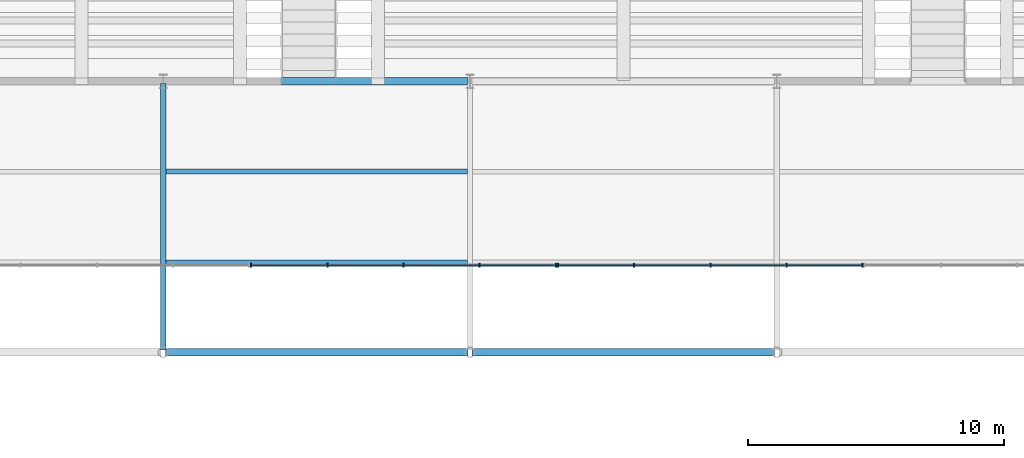
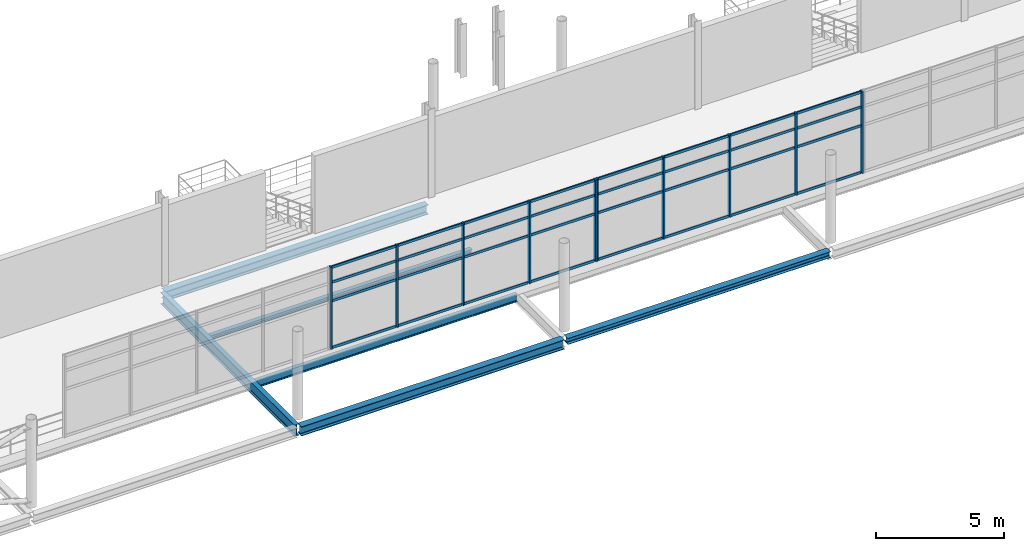
# One storey, part 27 of 89: 42 members, 6 beams, 2 elements without a shape of their own.
"""IFC4 building model written with IfcOpenShell, lengths in metres."""

from ifc_helpers import new_model, si_unit, direction, frame, origin, origin_2d, place, context, subcontext, project, spatial, rectangle, i_section, extrude, material, material_profile, profile_set, type_object, element, aggregate, save


model = new_model("IFC4")

# Units and contexts
model_context = context("Model", 3, precision=1e-05, world=origin(), true_north=direction((0.0, 1.0)))
body_context = subcontext(model_context, "Body", "Model", "MODEL_VIEW")
ifc_project = project(units=[si_unit("LENGTHUNIT", "METRE"), si_unit("AREAUNIT", "SQUARE_METRE"), si_unit("VOLUMEUNIT", "CUBIC_METRE"), si_unit("PLANEANGLEUNIT", "RADIAN"), si_unit("MASSUNIT", "GRAM", prefix="KILO"), si_unit("THERMODYNAMICTEMPERATUREUNIT", "KELVIN"), si_unit("POWERUNIT", "WATT")], contexts=[model_context])

# Site, building, storey
site_placement = place(None, origin())
site = spatial("IfcSite", under=ifc_project, at=site_placement, CompositionType="ELEMENT")
building_placement = place(site_placement, origin())
building = spatial("IfcBuilding", under=site, at=building_placement, Name="Solmara Park Aquatics Centre", CompositionType="ELEMENT")
storey_placement = place(building_placement, frame((0.0, 0.0, 5.39990234375)))
storey = spatial("IfcBuildingStorey", under=building, at=storey_placement, Name="L01", CompositionType="ELEMENT", Elevation=5.39990234375)

# Curtain wall, members
ifc_material_1 = material(Name="Anodised Aluminium Curtain Wall Framing", Category="aluminium")
curtain_wall_type = type_object("IfcCurtainWallType", Name="ARC-CW-SYS05", PredefinedType="USERDEFINED", material=ifc_material_1)
curtain_wall_1_placement = place(storey_placement, origin())
curtain_wall_1 = element("IfcCurtainWall", 1, at=curtain_wall_1_placement, inside=storey, type_object=curtain_wall_type, Name="Curtain Wall CW-004", ObjectType="CURTAIN WALL", PredefinedType="USERDEFINED")
ifc_material_2 = material(Name="Anodised Aluminium Alloy 6063-T6", Category="aluminium")
ifc_material_profile_1 = material_profile(ifc_material_2, rectangle(XDim=0.06005859375, YDim=0.159912109375, at=origin_2d()), Name="ALU MULLION 60x160")
ifc_profile_set_1 = profile_set([ifc_material_profile_1], Name="Anodised Aluminium Alloy 6063-T6")
member_type_1 = type_object("IfcMemberType", Name="ARC-CWM-60x160", PredefinedType="MULLION", material=ifc_profile_set_1)
member_1_placement = place(storey_placement, frame((40.0400390625, 16.0, 0.0), z_axis=(0.0, 0.0, 1.0), x_axis=(1.0, 0.0, 0.0)))
member_1 = element("IfcMember", 2, at=member_1_placement, type_object=member_type_1, Name="CW-004 mullion 1", PredefinedType="MULLION", context=body_context, shape_type="SweptSolid", body=[
    extrude(rectangle(XDim=0.06005859375, YDim=0.159912109375, at=origin_2d()), origin(), (0.0, 0.0, 1.0), 3.900146484375),
])
member_2_placement = place(storey_placement, frame((43.02001953125, 16.0, 0.0), z_axis=(0.0, 0.0, 1.0), x_axis=(1.0, 0.0, 0.0)))
member_2 = element("IfcMember", 3, at=member_2_placement, type_object=member_type_1, Name="CW-004 mullion 2", PredefinedType="MULLION", context=body_context, shape_type="SweptSolid", body=[
    extrude(rectangle(XDim=0.06005859375, YDim=0.159912109375, at=origin_2d()), origin(), (0.0, 0.0, 1.0), 3.900146484375),
])
member_3_placement = place(storey_placement, frame((46.0, 16.0, 0.0), z_axis=(0.0, 0.0, 1.0), x_axis=(1.0, 0.0, 0.0)))
member_3 = element("IfcMember", 4, at=member_3_placement, type_object=member_type_1, Name="CW-004 mullion 3", PredefinedType="MULLION", context=body_context, shape_type="SweptSolid", body=[
    extrude(rectangle(XDim=0.06005859375, YDim=0.159912109375, at=origin_2d()), origin(), (0.0, 0.0, 1.0), 3.900146484375),
])
member_4_placement = place(storey_placement, frame((48.97998046875, 16.0, 0.0), z_axis=(0.0, 0.0, 1.0), x_axis=(1.0, 0.0, 0.0)))
member_4 = element("IfcMember", 5, at=member_4_placement, type_object=member_type_1, Name="CW-004 mullion 4", PredefinedType="MULLION", context=body_context, shape_type="SweptSolid", body=[
    extrude(rectangle(XDim=0.06005859375, YDim=0.159912109375, at=origin_2d()), origin(), (0.0, 0.0, 1.0), 3.900146484375),
])
member_5_placement = place(storey_placement, frame((51.9599609375, 16.0, 0.0), z_axis=(0.0, 0.0, 1.0), x_axis=(1.0, 0.0, 0.0)))
member_5 = element("IfcMember", 6, at=member_5_placement, type_object=member_type_1, Name="CW-004 mullion 5", PredefinedType="MULLION", context=body_context, shape_type="SweptSolid", body=[
    extrude(rectangle(XDim=0.06005859375, YDim=0.159912109375, at=origin_2d()), origin(), (0.0, 0.0, 1.0), 3.900146484375),
])

curtain_wall_2_placement = place(storey_placement, origin())
curtain_wall_2 = element("IfcCurtainWall", 7, at=curtain_wall_2_placement, inside=storey, type_object=curtain_wall_type, Name="Curtain Wall CW-006", ObjectType="CURTAIN WALL", PredefinedType="USERDEFINED")
member_6_placement = place(storey_placement, frame((52.0400390625, 16.0, 0.0), z_axis=(0.0, 0.0, 1.0), x_axis=(1.0, 0.0, 0.0)))
member_6 = element("IfcMember", 8, at=member_6_placement, type_object=member_type_1, Name="CW-006 mullion 1", PredefinedType="MULLION", context=body_context, shape_type="SweptSolid", body=[
    extrude(rectangle(XDim=0.06005859375, YDim=0.159912109375, at=origin_2d()), origin(), (0.0, 0.0, 1.0), 3.900146484375),
])
member_7_placement = place(storey_placement, frame((55.02001953125, 16.0, 0.0), z_axis=(0.0, 0.0, 1.0), x_axis=(1.0, 0.0, 0.0)))
member_7 = element("IfcMember", 9, at=member_7_placement, type_object=member_type_1, Name="CW-006 mullion 2", PredefinedType="MULLION", context=body_context, shape_type="SweptSolid", body=[
    extrude(rectangle(XDim=0.06005859375, YDim=0.159912109375, at=origin_2d()), origin(), (0.0, 0.0, 1.0), 3.900146484375),
])
member_8_placement = place(storey_placement, frame((58.0, 16.0, 0.0), z_axis=(0.0, 0.0, 1.0), x_axis=(1.0, 0.0, 0.0)))
member_8 = element("IfcMember", 10, at=member_8_placement, type_object=member_type_1, Name="CW-006 mullion 3", PredefinedType="MULLION", context=body_context, shape_type="SweptSolid", body=[
    extrude(rectangle(XDim=0.06005859375, YDim=0.159912109375, at=origin_2d()), origin(), (0.0, 0.0, 1.0), 3.900146484375),
])
member_9_placement = place(storey_placement, frame((60.97998046875, 16.0, 0.0), z_axis=(0.0, 0.0, 1.0), x_axis=(1.0, 0.0, 0.0)))
member_9 = element("IfcMember", 11, at=member_9_placement, type_object=member_type_1, Name="CW-006 mullion 4", PredefinedType="MULLION", context=body_context, shape_type="SweptSolid", body=[
    extrude(rectangle(XDim=0.06005859375, YDim=0.159912109375, at=origin_2d()), origin(), (0.0, 0.0, 1.0), 3.900146484375),
])
member_10_placement = place(storey_placement, frame((63.9599609375, 16.0, 0.0), z_axis=(0.0, 0.0, 1.0), x_axis=(1.0, 0.0, 0.0)))
member_10 = element("IfcMember", 12, at=member_10_placement, type_object=member_type_1, Name="CW-006 mullion 5", PredefinedType="MULLION", context=body_context, shape_type="SweptSolid", body=[
    extrude(rectangle(XDim=0.06005859375, YDim=0.159912109375, at=origin_2d()), origin(), (0.0, 0.0, 1.0), 3.900146484375),
])

# Member
ifc_material_profile_2 = material_profile(ifc_material_2, rectangle(XDim=0.06005859375, YDim=0.1201171875, at=origin_2d()), Name="ALU TRANSOM 60x120")
ifc_profile_set_2 = profile_set([ifc_material_profile_2], Name="Anodised Aluminium Alloy 6063-T6")
member_type_2 = type_object("IfcMemberType", Name="ARC-CWT-60x120", PredefinedType="USERDEFINED", material=ifc_profile_set_2)
member_11_placement = place(storey_placement, frame((40.06005859375, 16.0, 0.0400390625), z_axis=(1.0, 0.0, 0.0), x_axis=(0.0, 1.0, 0.0)))
member_11 = element("IfcMember", 13, at=member_11_placement, type_object=member_type_2, Name="CW-004 transom 1", ObjectType="TRANSOM", PredefinedType="USERDEFINED", context=body_context, shape_type="SweptSolid", body=[
    extrude(rectangle(XDim=0.06005859375, YDim=0.1201171875, at=origin_2d()), origin(), (0.0, 0.0, 1.0), 2.89990234375),
])

member_12_placement = place(storey_placement, frame((40.06005859375, 16.0, 2.26220703125), z_axis=(1.0, 0.0, 0.0), x_axis=(0.0, 1.0, 0.0)))
member_12 = element("IfcMember", 14, at=member_12_placement, type_object=member_type_2, Name="CW-004 transom 2", ObjectType="TRANSOM", PredefinedType="USERDEFINED", context=body_context, shape_type="SweptSolid", body=[
    extrude(rectangle(XDim=0.06005859375, YDim=0.1201171875, at=origin_2d()), origin(), (0.0, 0.0, 1.0), 2.89990234375),
])

member_13_placement = place(storey_placement, frame((40.06005859375, 16.0, 3.150146484375), z_axis=(1.0, 0.0, 0.0), x_axis=(0.0, 1.0, 0.0)))
member_13 = element("IfcMember", 15, at=member_13_placement, type_object=member_type_2, Name="CW-004 transom 3", ObjectType="TRANSOM", PredefinedType="USERDEFINED", context=body_context, shape_type="SweptSolid", body=[
    extrude(rectangle(XDim=0.06005859375, YDim=0.1201171875, at=origin_2d()), origin(), (0.0, 0.0, 1.0), 2.89990234375),
])

member_14_placement = place(storey_placement, frame((40.06005859375, 16.0, 3.860107421875), z_axis=(1.0, 0.0, 0.0), x_axis=(0.0, 1.0, 0.0)))
member_14 = element("IfcMember", 16, at=member_14_placement, type_object=member_type_2, Name="CW-004 transom 4", ObjectType="TRANSOM", PredefinedType="USERDEFINED", context=body_context, shape_type="SweptSolid", body=[
    extrude(rectangle(XDim=0.06005859375, YDim=0.1201171875, at=origin_2d()), origin(), (0.0, 0.0, 1.0), 2.89990234375),
])

member_15_placement = place(storey_placement, frame((43.0400390625, 16.0, 0.0400390625), z_axis=(1.0, 0.0, 0.0), x_axis=(0.0, 1.0, 0.0)))
member_15 = element("IfcMember", 17, at=member_15_placement, type_object=member_type_2, Name="CW-004 transom 5", ObjectType="TRANSOM", PredefinedType="USERDEFINED", context=body_context, shape_type="SweptSolid", body=[
    extrude(rectangle(XDim=0.06005859375, YDim=0.1201171875, at=origin_2d()), origin(), (0.0, 0.0, 1.0), 2.89990234375),
])

member_16_placement = place(storey_placement, frame((43.0400390625, 16.0, 2.26220703125), z_axis=(1.0, 0.0, 0.0), x_axis=(0.0, 1.0, 0.0)))
member_16 = element("IfcMember", 18, at=member_16_placement, type_object=member_type_2, Name="CW-004 transom 6", ObjectType="TRANSOM", PredefinedType="USERDEFINED", context=body_context, shape_type="SweptSolid", body=[
    extrude(rectangle(XDim=0.06005859375, YDim=0.1201171875, at=origin_2d()), origin(), (0.0, 0.0, 1.0), 2.89990234375),
])

member_17_placement = place(storey_placement, frame((43.0400390625, 16.0, 3.150146484375), z_axis=(1.0, 0.0, 0.0), x_axis=(0.0, 1.0, 0.0)))
member_17 = element("IfcMember", 19, at=member_17_placement, type_object=member_type_2, Name="CW-004 transom 7", ObjectType="TRANSOM", PredefinedType="USERDEFINED", context=body_context, shape_type="SweptSolid", body=[
    extrude(rectangle(XDim=0.06005859375, YDim=0.1201171875, at=origin_2d()), origin(), (0.0, 0.0, 1.0), 2.89990234375),
])

member_18_placement = place(storey_placement, frame((43.0400390625, 16.0, 3.860107421875), z_axis=(1.0, 0.0, 0.0), x_axis=(0.0, 1.0, 0.0)))
member_18 = element("IfcMember", 20, at=member_18_placement, type_object=member_type_2, Name="CW-004 transom 8", ObjectType="TRANSOM", PredefinedType="USERDEFINED", context=body_context, shape_type="SweptSolid", body=[
    extrude(rectangle(XDim=0.06005859375, YDim=0.1201171875, at=origin_2d()), origin(), (0.0, 0.0, 1.0), 2.89990234375),
])

member_19_placement = place(storey_placement, frame((46.02001953125, 16.0, 0.0400390625), z_axis=(1.0, 0.0, 0.0), x_axis=(0.0, 1.0, 0.0)))
member_19 = element("IfcMember", 21, at=member_19_placement, type_object=member_type_2, Name="CW-004 transom 9", ObjectType="TRANSOM", PredefinedType="USERDEFINED", context=body_context, shape_type="SweptSolid", body=[
    extrude(rectangle(XDim=0.06005859375, YDim=0.1201171875, at=origin_2d()), origin(), (0.0, 0.0, 1.0), 2.89990234375),
])

member_20_placement = place(storey_placement, frame((46.02001953125, 16.0, 2.26220703125), z_axis=(1.0, 0.0, 0.0), x_axis=(0.0, 1.0, 0.0)))
member_20 = element("IfcMember", 22, at=member_20_placement, type_object=member_type_2, Name="CW-004 transom 10", ObjectType="TRANSOM", PredefinedType="USERDEFINED", context=body_context, shape_type="SweptSolid", body=[
    extrude(rectangle(XDim=0.06005859375, YDim=0.1201171875, at=origin_2d()), origin(), (0.0, 0.0, 1.0), 2.89990234375),
])

member_21_placement = place(storey_placement, frame((46.02001953125, 16.0, 3.150146484375), z_axis=(1.0, 0.0, 0.0), x_axis=(0.0, 1.0, 0.0)))
member_21 = element("IfcMember", 23, at=member_21_placement, type_object=member_type_2, Name="CW-004 transom 11", ObjectType="TRANSOM", PredefinedType="USERDEFINED", context=body_context, shape_type="SweptSolid", body=[
    extrude(rectangle(XDim=0.06005859375, YDim=0.1201171875, at=origin_2d()), origin(), (0.0, 0.0, 1.0), 2.89990234375),
])

member_22_placement = place(storey_placement, frame((46.02001953125, 16.0, 3.860107421875), z_axis=(1.0, 0.0, 0.0), x_axis=(0.0, 1.0, 0.0)))
member_22 = element("IfcMember", 24, at=member_22_placement, type_object=member_type_2, Name="CW-004 transom 12", ObjectType="TRANSOM", PredefinedType="USERDEFINED", context=body_context, shape_type="SweptSolid", body=[
    extrude(rectangle(XDim=0.06005859375, YDim=0.1201171875, at=origin_2d()), origin(), (0.0, 0.0, 1.0), 2.89990234375),
])

member_23_placement = place(storey_placement, frame((49.0, 16.0, 0.0400390625), z_axis=(1.0, 0.0, 0.0), x_axis=(0.0, 1.0, 0.0)))
member_23 = element("IfcMember", 25, at=member_23_placement, type_object=member_type_2, Name="CW-004 transom 13", ObjectType="TRANSOM", PredefinedType="USERDEFINED", context=body_context, shape_type="SweptSolid", body=[
    extrude(rectangle(XDim=0.06005859375, YDim=0.1201171875, at=origin_2d()), origin(), (0.0, 0.0, 1.0), 2.89990234375),
])

member_24_placement = place(storey_placement, frame((49.0, 16.0, 2.26220703125), z_axis=(1.0, 0.0, 0.0), x_axis=(0.0, 1.0, 0.0)))
member_24 = element("IfcMember", 26, at=member_24_placement, type_object=member_type_2, Name="CW-004 transom 14", ObjectType="TRANSOM", PredefinedType="USERDEFINED", context=body_context, shape_type="SweptSolid", body=[
    extrude(rectangle(XDim=0.06005859375, YDim=0.1201171875, at=origin_2d()), origin(), (0.0, 0.0, 1.0), 2.89990234375),
])

member_25_placement = place(storey_placement, frame((49.0, 16.0, 3.150146484375), z_axis=(1.0, 0.0, 0.0), x_axis=(0.0, 1.0, 0.0)))
member_25 = element("IfcMember", 27, at=member_25_placement, type_object=member_type_2, Name="CW-004 transom 15", ObjectType="TRANSOM", PredefinedType="USERDEFINED", context=body_context, shape_type="SweptSolid", body=[
    extrude(rectangle(XDim=0.06005859375, YDim=0.1201171875, at=origin_2d()), origin(), (0.0, 0.0, 1.0), 2.89990234375),
])

member_26_placement = place(storey_placement, frame((49.0, 16.0, 3.860107421875), z_axis=(1.0, 0.0, 0.0), x_axis=(0.0, 1.0, 0.0)))
member_26 = element("IfcMember", 28, at=member_26_placement, type_object=member_type_2, Name="CW-004 transom 16", ObjectType="TRANSOM", PredefinedType="USERDEFINED", context=body_context, shape_type="SweptSolid", body=[
    extrude(rectangle(XDim=0.06005859375, YDim=0.1201171875, at=origin_2d()), origin(), (0.0, 0.0, 1.0), 2.89990234375),
])

aggregate(curtain_wall_1, [member_1, member_2, member_3, member_4, member_5, member_11, member_12, member_13, member_14, member_15, member_16, member_17, member_18, member_19, member_20, member_21, member_22, member_23, member_24, member_25, member_26])

member_27_placement = place(storey_placement, frame((52.06005859375, 16.0, 0.0400390625), z_axis=(1.0, 0.0, 0.0), x_axis=(0.0, 1.0, 0.0)))
member_27 = element("IfcMember", 29, at=member_27_placement, type_object=member_type_2, Name="CW-006 transom 1", ObjectType="TRANSOM", PredefinedType="USERDEFINED", context=body_context, shape_type="SweptSolid", body=[
    extrude(rectangle(XDim=0.06005859375, YDim=0.1201171875, at=origin_2d()), origin(), (0.0, 0.0, 1.0), 2.89990234375),
])

member_28_placement = place(storey_placement, frame((52.06005859375, 16.0, 2.26220703125), z_axis=(1.0, 0.0, 0.0), x_axis=(0.0, 1.0, 0.0)))
member_28 = element("IfcMember", 30, at=member_28_placement, type_object=member_type_2, Name="CW-006 transom 2", ObjectType="TRANSOM", PredefinedType="USERDEFINED", context=body_context, shape_type="SweptSolid", body=[
    extrude(rectangle(XDim=0.06005859375, YDim=0.1201171875, at=origin_2d()), origin(), (0.0, 0.0, 1.0), 2.89990234375),
])

member_29_placement = place(storey_placement, frame((52.06005859375, 16.0, 3.150146484375), z_axis=(1.0, 0.0, 0.0), x_axis=(0.0, 1.0, 0.0)))
member_29 = element("IfcMember", 31, at=member_29_placement, type_object=member_type_2, Name="CW-006 transom 3", ObjectType="TRANSOM", PredefinedType="USERDEFINED", context=body_context, shape_type="SweptSolid", body=[
    extrude(rectangle(XDim=0.06005859375, YDim=0.1201171875, at=origin_2d()), origin(), (0.0, 0.0, 1.0), 2.89990234375),
])

member_30_placement = place(storey_placement, frame((52.06005859375, 16.0, 3.860107421875), z_axis=(1.0, 0.0, 0.0), x_axis=(0.0, 1.0, 0.0)))
member_30 = element("IfcMember", 32, at=member_30_placement, type_object=member_type_2, Name="CW-006 transom 4", ObjectType="TRANSOM", PredefinedType="USERDEFINED", context=body_context, shape_type="SweptSolid", body=[
    extrude(rectangle(XDim=0.06005859375, YDim=0.1201171875, at=origin_2d()), origin(), (0.0, 0.0, 1.0), 2.89990234375),
])

member_31_placement = place(storey_placement, frame((55.0400390625, 16.0, 0.0400390625), z_axis=(1.0, 0.0, 0.0), x_axis=(0.0, 1.0, 0.0)))
member_31 = element("IfcMember", 33, at=member_31_placement, type_object=member_type_2, Name="CW-006 transom 5", ObjectType="TRANSOM", PredefinedType="USERDEFINED", context=body_context, shape_type="SweptSolid", body=[
    extrude(rectangle(XDim=0.06005859375, YDim=0.1201171875, at=origin_2d()), origin(), (0.0, 0.0, 1.0), 2.89990234375),
])

member_32_placement = place(storey_placement, frame((55.0400390625, 16.0, 2.26220703125), z_axis=(1.0, 0.0, 0.0), x_axis=(0.0, 1.0, 0.0)))
member_32 = element("IfcMember", 34, at=member_32_placement, type_object=member_type_2, Name="CW-006 transom 6", ObjectType="TRANSOM", PredefinedType="USERDEFINED", context=body_context, shape_type="SweptSolid", body=[
    extrude(rectangle(XDim=0.06005859375, YDim=0.1201171875, at=origin_2d()), origin(), (0.0, 0.0, 1.0), 2.89990234375),
])

member_33_placement = place(storey_placement, frame((55.0400390625, 16.0, 3.150146484375), z_axis=(1.0, 0.0, 0.0), x_axis=(0.0, 1.0, 0.0)))
member_33 = element("IfcMember", 35, at=member_33_placement, type_object=member_type_2, Name="CW-006 transom 7", ObjectType="TRANSOM", PredefinedType="USERDEFINED", context=body_context, shape_type="SweptSolid", body=[
    extrude(rectangle(XDim=0.06005859375, YDim=0.1201171875, at=origin_2d()), origin(), (0.0, 0.0, 1.0), 2.89990234375),
])

member_34_placement = place(storey_placement, frame((55.0400390625, 16.0, 3.860107421875), z_axis=(1.0, 0.0, 0.0), x_axis=(0.0, 1.0, 0.0)))
member_34 = element("IfcMember", 36, at=member_34_placement, type_object=member_type_2, Name="CW-006 transom 8", ObjectType="TRANSOM", PredefinedType="USERDEFINED", context=body_context, shape_type="SweptSolid", body=[
    extrude(rectangle(XDim=0.06005859375, YDim=0.1201171875, at=origin_2d()), origin(), (0.0, 0.0, 1.0), 2.89990234375),
])

member_35_placement = place(storey_placement, frame((58.02001953125, 16.0, 0.0400390625), z_axis=(1.0, 0.0, 0.0), x_axis=(0.0, 1.0, 0.0)))
member_35 = element("IfcMember", 37, at=member_35_placement, type_object=member_type_2, Name="CW-006 transom 9", ObjectType="TRANSOM", PredefinedType="USERDEFINED", context=body_context, shape_type="SweptSolid", body=[
    extrude(rectangle(XDim=0.06005859375, YDim=0.1201171875, at=origin_2d()), origin(), (0.0, 0.0, 1.0), 2.89990234375),
])

member_36_placement = place(storey_placement, frame((58.02001953125, 16.0, 2.26220703125), z_axis=(1.0, 0.0, 0.0), x_axis=(0.0, 1.0, 0.0)))
member_36 = element("IfcMember", 38, at=member_36_placement, type_object=member_type_2, Name="CW-006 transom 10", ObjectType="TRANSOM", PredefinedType="USERDEFINED", context=body_context, shape_type="SweptSolid", body=[
    extrude(rectangle(XDim=0.06005859375, YDim=0.1201171875, at=origin_2d()), origin(), (0.0, 0.0, 1.0), 2.89990234375),
])

member_37_placement = place(storey_placement, frame((58.02001953125, 16.0, 3.150146484375), z_axis=(1.0, 0.0, 0.0), x_axis=(0.0, 1.0, 0.0)))
member_37 = element("IfcMember", 39, at=member_37_placement, type_object=member_type_2, Name="CW-006 transom 11", ObjectType="TRANSOM", PredefinedType="USERDEFINED", context=body_context, shape_type="SweptSolid", body=[
    extrude(rectangle(XDim=0.06005859375, YDim=0.1201171875, at=origin_2d()), origin(), (0.0, 0.0, 1.0), 2.89990234375),
])

member_38_placement = place(storey_placement, frame((58.02001953125, 16.0, 3.860107421875), z_axis=(1.0, 0.0, 0.0), x_axis=(0.0, 1.0, 0.0)))
member_38 = element("IfcMember", 40, at=member_38_placement, type_object=member_type_2, Name="CW-006 transom 12", ObjectType="TRANSOM", PredefinedType="USERDEFINED", context=body_context, shape_type="SweptSolid", body=[
    extrude(rectangle(XDim=0.06005859375, YDim=0.1201171875, at=origin_2d()), origin(), (0.0, 0.0, 1.0), 2.89990234375),
])

member_39_placement = place(storey_placement, frame((61.0, 16.0, 0.0400390625), z_axis=(1.0, 0.0, 0.0), x_axis=(0.0, 1.0, 0.0)))
member_39 = element("IfcMember", 41, at=member_39_placement, type_object=member_type_2, Name="CW-006 transom 13", ObjectType="TRANSOM", PredefinedType="USERDEFINED", context=body_context, shape_type="SweptSolid", body=[
    extrude(rectangle(XDim=0.06005859375, YDim=0.1201171875, at=origin_2d()), origin(), (0.0, 0.0, 1.0), 2.89990234375),
])

member_40_placement = place(storey_placement, frame((61.0, 16.0, 2.26220703125), z_axis=(1.0, 0.0, 0.0), x_axis=(0.0, 1.0, 0.0)))
member_40 = element("IfcMember", 42, at=member_40_placement, type_object=member_type_2, Name="CW-006 transom 14", ObjectType="TRANSOM", PredefinedType="USERDEFINED", context=body_context, shape_type="SweptSolid", body=[
    extrude(rectangle(XDim=0.06005859375, YDim=0.1201171875, at=origin_2d()), origin(), (0.0, 0.0, 1.0), 2.89990234375),
])

member_41_placement = place(storey_placement, frame((61.0, 16.0, 3.150146484375), z_axis=(1.0, 0.0, 0.0), x_axis=(0.0, 1.0, 0.0)))
member_41 = element("IfcMember", 43, at=member_41_placement, type_object=member_type_2, Name="CW-006 transom 15", ObjectType="TRANSOM", PredefinedType="USERDEFINED", context=body_context, shape_type="SweptSolid", body=[
    extrude(rectangle(XDim=0.06005859375, YDim=0.1201171875, at=origin_2d()), origin(), (0.0, 0.0, 1.0), 2.89990234375),
])

member_42_placement = place(storey_placement, frame((61.0, 16.0, 3.860107421875), z_axis=(1.0, 0.0, 0.0), x_axis=(0.0, 1.0, 0.0)))
member_42 = element("IfcMember", 44, at=member_42_placement, type_object=member_type_2, Name="CW-006 transom 16", ObjectType="TRANSOM", PredefinedType="USERDEFINED", context=body_context, shape_type="SweptSolid", body=[
    extrude(rectangle(XDim=0.06005859375, YDim=0.1201171875, at=origin_2d()), origin(), (0.0, 0.0, 1.0), 2.89990234375),
])

aggregate(curtain_wall_2, [member_6, member_7, member_8, member_9, member_10, member_27, member_28, member_29, member_30, member_31, member_32, member_33, member_34, member_35, member_36, member_37, member_38, member_39, member_40, member_41, member_42])

# Beams
ifc_material_3 = material(Name="Structural Steel S355", Category="steel")
ifc_material_profile_3 = material_profile(ifc_material_3, i_section(OverallWidth=0.300048828125, OverallDepth=0.449951171875, WebThickness=0.013916015625, FlangeThickness=0.02587890625, FilletRadius=0.027099609375, at=origin_2d()), Name="HEB 450")
ifc_profile_set_3 = profile_set([ifc_material_profile_3], Name="Structural Steel S355")
beam_type_1 = type_object("IfcBeamType", Name="STR-BM-HEB450", PredefinedType="BEAM", material=ifc_profile_set_3)
for number, where, z_axis, x_axis, name in (
    (45, (36.679931640625, 12.60009765625, -0.625), (1.0, 0.0, 0.0), (0.0, 1.0, 0.0), "Girder BM-L01-0167"),
    (46, (36.679931640625, 23.199951171875, -0.625), (1.0, 0.0, 0.0), (0.0, 1.0, 0.0), "Girder BM-L01-0173"),
):
    element("IfcBeam", number, at=place(storey_placement, frame(where, z_axis=z_axis, x_axis=x_axis)), inside=storey, type_object=beam_type_1, Name=name, PredefinedType="BEAM", context=body_context, shape_type="SweptSolid", body=[
        extrude(i_section(OverallWidth=0.300048828125, OverallDepth=0.449951171875, WebThickness=0.013916015625, FlangeThickness=0.02587890625, FilletRadius=0.027099609375, at=origin_2d()), origin(), (0.0, 0.0, 1.0), 11.840087890625),
    ])
ifc_material_profile_4 = material_profile(ifc_material_3, i_section(OverallWidth=0.2099609375, OverallDepth=0.550048828125, WebThickness=0.010986328125, FlangeThickness=0.01708984375, FilletRadius=0.02392578125, at=origin_2d()), Name="IPE 550")
ifc_profile_set_4 = profile_set([ifc_material_profile_4], Name="Structural Steel S355")
beam_type_2 = type_object("IfcBeamType", Name="STR-BM-IPE550", PredefinedType="BEAM", material=ifc_profile_set_4)
beam_1_placement = place(storey_placement, frame((36.60009765625, 12.679931640625, -0.6748046875), z_axis=(0.0, 1.0, 0.0), x_axis=(-1.0, 0.0, 0.0)))
element("IfcBeam", 47, at=beam_1_placement, inside=storey, type_object=beam_type_2, Name="Girder BM-L01-0191", PredefinedType="BEAM", context=body_context, shape_type="SweptSolid", body=[
    extrude(i_section(OverallWidth=0.2099609375, OverallDepth=0.550048828125, WebThickness=0.010986328125, FlangeThickness=0.01708984375, FilletRadius=0.02392578125, at=origin_2d()), origin(), (0.0, 0.0, 1.0), 10.440185546875),
])
ifc_material_profile_5 = material_profile(ifc_material_3, i_section(OverallWidth=0.199951171875, OverallDepth=0.18994140625, WebThickness=0.006591796875, FlangeThickness=0.010009765625, FilletRadius=0.01806640625, at=origin_2d()), Name="HEA 200")
ifc_profile_set_5 = profile_set([ifc_material_profile_5], Name="Structural Steel S355")
beam_type_3 = type_object("IfcBeamType", Name="STR-JST-HEA200", PredefinedType="JOIST", material=ifc_profile_set_5)
beam_2_placement = place(storey_placement, frame((36.705078125, 19.666748046875, -0.494873046875), z_axis=(1.0, 0.0, 0.0), x_axis=(0.0, 1.0, 0.0)))
element("IfcBeam", 48, at=beam_2_placement, inside=storey, type_object=beam_type_3, Name="Floor Joist JST-L01-0109", PredefinedType="JOIST", context=body_context, shape_type="SweptSolid", body=[
    extrude(i_section(OverallWidth=0.199951171875, OverallDepth=0.18994140625, WebThickness=0.006591796875, FlangeThickness=0.010009765625, FilletRadius=0.01806640625, at=origin_2d()), origin(), (0.0, 0.0, 1.0), 11.7900390625),
])
ifc_material_profile_6 = material_profile(ifc_material_3, i_section(OverallWidth=0.169921875, OverallDepth=0.360107421875, WebThickness=0.008056640625, FlangeThickness=0.0126953125, FilletRadius=0.01806640625, at=origin_2d()), Name="IPE 360")
ifc_profile_set_6 = profile_set([ifc_material_profile_6], Name="Structural Steel S355")
beam_type_4 = type_object("IfcBeamType", Name="STR-JST-IPE360", PredefinedType="JOIST", material=ifc_profile_set_6)
beam_3_placement = place(storey_placement, frame((36.705078125, 16.13330078125, -0.579833984375), z_axis=(1.0, 0.0, 0.0), x_axis=(0.0, 1.0, 0.0)))
element("IfcBeam", 49, at=beam_3_placement, inside=storey, type_object=beam_type_4, Name="Floor Joist JST-L01-0108", PredefinedType="JOIST", context=body_context, shape_type="SweptSolid", body=[
    extrude(i_section(OverallWidth=0.169921875, OverallDepth=0.360107421875, WebThickness=0.008056640625, FlangeThickness=0.0126953125, FilletRadius=0.01806640625, at=origin_2d()), origin(), (0.0, 0.0, 1.0), 11.7900390625),
])
ifc_material_profile_7 = material_profile(ifc_material_3, i_section(OverallWidth=0.300048828125, OverallDepth=0.2900390625, WebThickness=0.008544921875, FlangeThickness=0.013916015625, FilletRadius=0.027099609375, at=origin_2d()), Name="HEA 300")
ifc_profile_set_7 = profile_set([ifc_material_profile_7], Name="Structural Steel S355")
beam_type_5 = type_object("IfcBeamType", Name="STR-SPD-HEA300", PredefinedType="SPANDREL", material=ifc_profile_set_7)
beam_4_placement = place(storey_placement, frame((48.679931640625, 12.60009765625, -0.544921875), z_axis=(1.0, 0.0, 0.0), x_axis=(0.0, 1.0, 0.0)))
element("IfcBeam", 50, at=beam_4_placement, inside=storey, type_object=beam_type_5, Name="Girder BM-L01-0168", PredefinedType="SPANDREL", context=body_context, shape_type="SweptSolid", body=[
    extrude(i_section(OverallWidth=0.300048828125, OverallDepth=0.2900390625, WebThickness=0.008544921875, FlangeThickness=0.013916015625, FilletRadius=0.027099609375, at=origin_2d()), origin(), (0.0, 0.0, 1.0), 11.840087890625),
])

save(model, "model.ifc")
